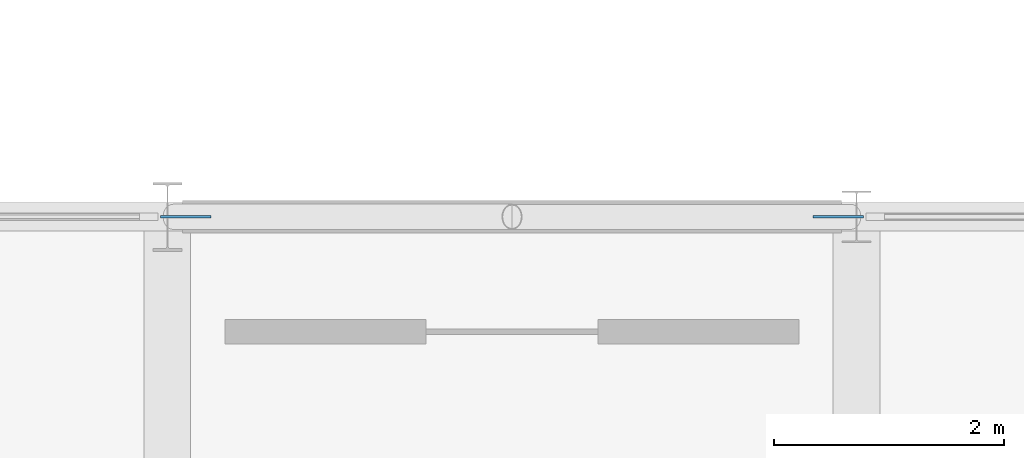
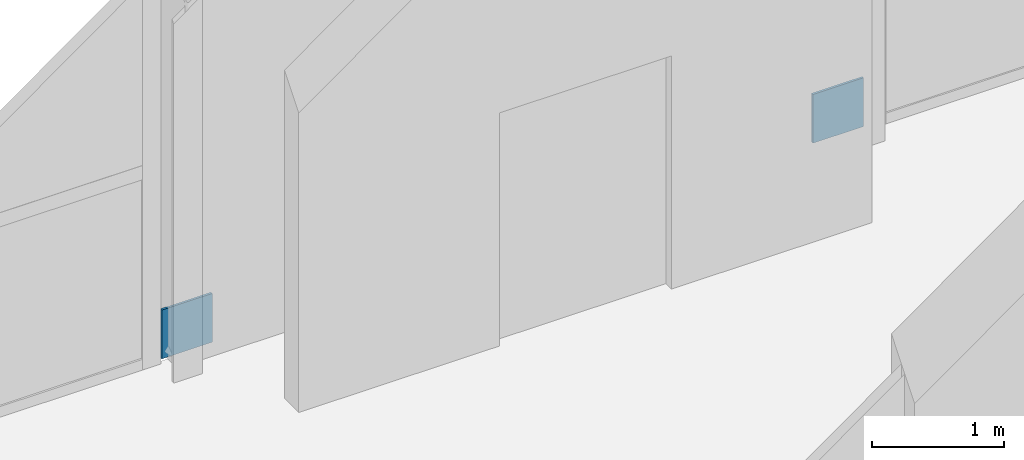
# One storey, part 77 of 96: 2 discrete accessories.
"""IFC4 building model written with IfcOpenShell, lengths in metres."""

from ifc_helpers import new_model, si_unit, direction, frame, origin, origin_2d, place, context, subcontext, project, spatial, rectangle, extrude, material, layer, layer_set, type_object, element, save


model = new_model("IFC4")

# Units and contexts
model_context = context("Model", 3, precision=1e-05, world=origin(), true_north=direction((0.0, 1.0)))
body_context = subcontext(model_context, "Body", "Model", "MODEL_VIEW")
ifc_project = project(units=[si_unit("LENGTHUNIT", "METRE"), si_unit("AREAUNIT", "SQUARE_METRE"), si_unit("VOLUMEUNIT", "CUBIC_METRE"), si_unit("PLANEANGLEUNIT", "RADIAN"), si_unit("MASSUNIT", "GRAM", prefix="KILO")], contexts=[model_context])

# Site, building, storey
site_placement = place(None, origin())
site = spatial("IfcSite", under=ifc_project, at=site_placement, CompositionType="ELEMENT")
building_placement = place(site_placement, origin())
building = spatial("IfcBuilding", under=site, at=building_placement, Name="Varnakota Square Police Headquarters", CompositionType="ELEMENT")
storey_placement = place(building_placement, frame((0.0, 0.0, 4.800048828125)))
storey = spatial("IfcBuildingStorey", under=building, at=storey_placement, Name="L01", CompositionType="ELEMENT", Elevation=4.800048828125)

# Discrete accessories
ifc_material = material(Name="Steel IS 2062 Grade 350", Category="steel")
ifc_layer = layer(ifc_material, 0.64990234375, Name="Steel IS 2062 Grade 350")
ifc_layer_set = layer_set([ifc_layer], Name="Steel IS 2062 Grade 350")
discrete_accessory_type = type_object("IfcDiscreteAccessoryType", Name="ACC-EMB-350", PredefinedType="BRACKET", material=ifc_layer_set)
for number, where, z_axis, x_axis, name in (
    (1, (126.159912109375, 15.0, 0.02490234375), (0.0, 0.0, 1.0), (1.0, 0.0, 0.0), "Brace gusset connection plate BF1 L01 L"),
    (2, (131.840087890625, 15.0, 0.02490234375), (0.0, 0.0, 1.0), (1.0, 0.0, 0.0), "Brace gusset connection plate BF1 L01 R"),
):
    element("IfcDiscreteAccessory", number, at=place(storey_placement, frame(where, z_axis=z_axis, x_axis=x_axis)), inside=storey, type_object=discrete_accessory_type, Name=name, PredefinedType="BRACKET", context=body_context, shape_type="SweptSolid", body=[
        extrude(rectangle(XDim=0.43994140625, YDim=0.02001953125, at=origin_2d()), origin(), (0.0, 0.0, 1.0), 0.449951171875),
    ])

save(model, "model.ifc")
